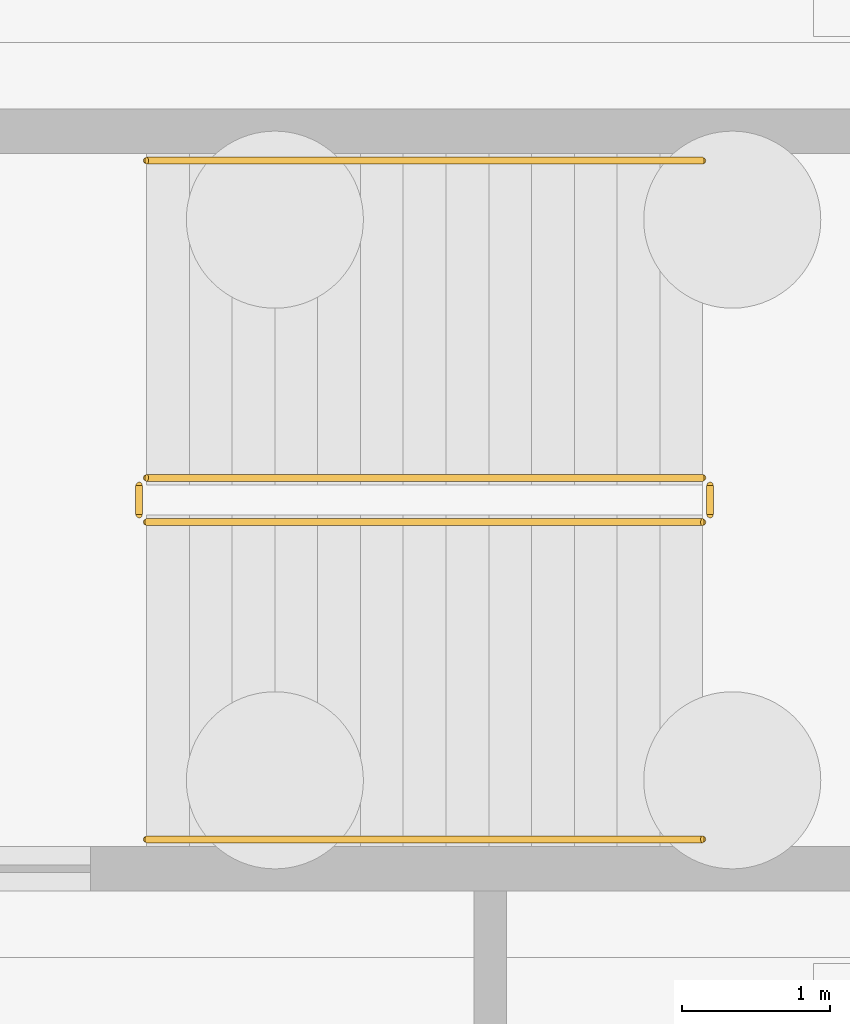
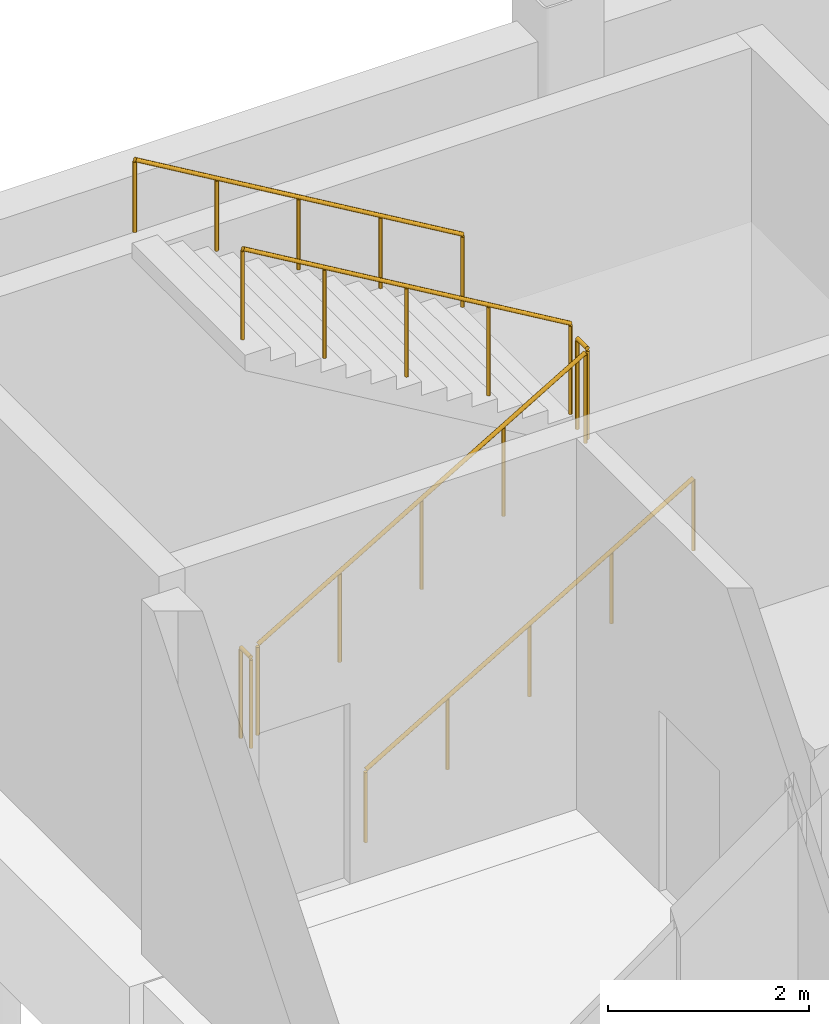
# One storey, part 32 of 34: 6 railings.
"""IFC4 building model written with IfcOpenShell, lengths in metres."""

from ifc_helpers import new_model, si_unit, direction, frame, origin, origin_2d, place, context, subcontext, project, spatial, circle, extrude, material, type_object, element, save


model = new_model("IFC4")

# Units and contexts
model_context = context("Model", 3, precision=1e-05, world=origin(), true_north=direction((0.0, 1.0)))
body_context = subcontext(model_context, "Body", "Model", "MODEL_VIEW")
ifc_project = project(units=[si_unit("LENGTHUNIT", "METRE"), si_unit("AREAUNIT", "SQUARE_METRE"), si_unit("VOLUMEUNIT", "CUBIC_METRE"), si_unit("PLANEANGLEUNIT", "RADIAN"), si_unit("MASSUNIT", "GRAM", prefix="KILO")], contexts=[model_context])

# Site, building, storey
site_placement = place(None, origin())
site = spatial("IfcSite", under=ifc_project, at=site_placement, CompositionType="ELEMENT")
building_placement = place(site_placement, origin())
building = spatial("IfcBuilding", under=site, at=building_placement, Name="Larkvane Passage Sports Hall", CompositionType="ELEMENT")
storey_placement = place(building_placement, frame((0.0, 0.0, -4.800048828125)))
storey = spatial("IfcBuildingStorey", under=building, at=storey_placement, Name="B01", CompositionType="ELEMENT", Elevation=-4.800048828125)

# Railings
ifc_material_1 = material(Name="Steel S355JR", Category="steel")
railing_type_1 = type_object("IfcRailingType", Name="RL-GUARD-1120", PredefinedType="GUARDRAIL", material=ifc_material_1)
railing_1_placement = place(storey_placement, frame((37.3798828125, 87.5, 0.17138671875)))
element("IfcRailing", 1, at=railing_1_placement, inside=storey, type_object=railing_type_1, Name="B01 ST-02 stair guard 1", PredefinedType="GUARDRAIL", context=body_context, shape_type="SweptSolid", body=[
    extrude(circle(Radius=0.02392578125, at=origin_2d()), frame((0.001708984375, 0.0, 1.09716796875), z_axis=(0.860824410104, 0.0, 0.508902087802), x_axis=(0.0, 1.0, 0.0)), (0.0, 0.0, 1.0), 4.37548828125),
    extrude(circle(Radius=0.02099609375, at=origin_2d()), origin(), (0.0, 0.0, 1.0), 1.072021484375),
    extrude(circle(Radius=0.02099609375, at=origin_2d()), frame((0.9423828125, 0.0, 0.55712890625)), (0.0, 0.0, 1.0), 1.072021484375),
    extrude(circle(Radius=0.02099609375, at=origin_2d()), frame((1.885009765625, 0.0, 1.1142578125)), (0.0, 0.0, 1.0), 1.072021484375),
    extrude(circle(Radius=0.02099609375, at=origin_2d()), frame((2.82763671875, 0.0, 1.671630859375)), (0.0, 0.0, 1.0), 1.072021484375),
    extrude(circle(Radius=0.02099609375, at=origin_2d()), frame((3.77001953125, 0.0, 2.228759765625)), (0.0, 0.0, 1.0), 1.072021484375),
])
railing_2_placement = place(storey_placement, frame((41.199951171875, 87.550048828125, 2.400146484375)))
element("IfcRailing", 2, at=railing_2_placement, inside=storey, type_object=railing_type_1, Name="B01 ST-02 stair guard 2", PredefinedType="GUARDRAIL", context=body_context, shape_type="SweptSolid", body=[
    extrude(circle(Radius=0.02392578125, at=origin_2d()), frame((0.0, 0.001953125, 1.09619140625), z_axis=(0.0, 1.0, 0.0), x_axis=(-1.0, 0.0, 0.0)), (0.0, 0.0, 1.0), 0.196044921875),
    extrude(circle(Radius=0.02099609375, at=origin_2d()), origin(), (0.0, 0.0, 1.0), 1.072021484375),
    extrude(circle(Radius=0.02099609375, at=origin_2d()), frame((0.0, 0.199951171875, 0.0)), (0.0, 0.0, 1.0), 1.072021484375),
])
railing_3_placement = place(storey_placement, frame((41.14990234375, 87.800048828125, 2.571533203125)))
element("IfcRailing", 3, at=railing_3_placement, inside=storey, type_object=railing_type_1, Name="B01 ST-02 stair guard 3", PredefinedType="GUARDRAIL", context=body_context, shape_type="SweptSolid", body=[
    extrude(circle(Radius=0.02392578125, at=origin_2d()), frame((-0.001708984375, 0.0, 1.09716796875), z_axis=(-0.860848830602, 0.0, 0.508860777473), x_axis=(0.0, -1.0, 0.0)), (0.0, 0.0, 1.0), 4.37548828125),
    extrude(circle(Radius=0.02099609375, at=origin_2d()), origin(), (0.0, 0.0, 1.0), 1.072021484375),
    extrude(circle(Radius=0.02099609375, at=origin_2d()), frame((-0.9423828125, 0.0, 0.55712890625)), (0.0, 0.0, 1.0), 1.072021484375),
    extrude(circle(Radius=0.02099609375, at=origin_2d()), frame((-1.885009765625, 0.0, 1.1142578125)), (0.0, 0.0, 1.0), 1.072021484375),
    extrude(circle(Radius=0.02099609375, at=origin_2d()), frame((-2.82763671875, 0.0, 1.67138671875)), (0.0, 0.0, 1.0), 1.072021484375),
    extrude(circle(Radius=0.02099609375, at=origin_2d()), frame((-3.77001953125, 0.0, 2.228515625)), (0.0, 0.0, 1.0), 1.072021484375),
])
railing_4_placement = place(storey_placement, frame((37.330078125, 87.550048828125, 0.0)))
element("IfcRailing", 4, at=railing_4_placement, inside=storey, type_object=railing_type_1, Name="B01 ST-02 stair guard 4", PredefinedType="GUARDRAIL", context=body_context, shape_type="SweptSolid", body=[
    extrude(circle(Radius=0.02392578125, at=origin_2d()), frame((0.0, 0.001953125, 1.09619140625), z_axis=(0.0, 1.0, 0.0), x_axis=(-1.0, 0.0, 0.0)), (0.0, 0.0, 1.0), 0.196044921875),
    extrude(circle(Radius=0.02099609375, at=origin_2d()), origin(), (0.0, 0.0, 1.0), 1.072021484375),
    extrude(circle(Radius=0.02099609375, at=origin_2d()), frame((0.0, 0.199951171875, 0.0)), (0.0, 0.0, 1.0), 1.072021484375),
])
ifc_material_2 = material(Name="Stainless steel S355JR", Category="steel")
railing_type_2 = type_object("IfcRailingType", Name="RL-HAND-920", PredefinedType="HANDRAIL", material=ifc_material_2)
railing_5_placement = place(storey_placement, frame((37.3798828125, 85.35009765625, 0.17138671875)))
element("IfcRailing", 5, at=railing_5_placement, inside=storey, type_object=railing_type_2, Name="B01 ST-02 stair handrail 1", PredefinedType="HANDRAIL", context=body_context, shape_type="SweptSolid", body=[
    extrude(circle(Radius=0.02392578125, at=origin_2d()), frame((0.001708984375, 0.0, 0.876953125), z_axis=(0.860824410104, 0.0, 0.508902087802), x_axis=(0.0, 1.0, 0.0)), (0.0, 0.0, 1.0), 4.37548828125),
    extrude(circle(Radius=0.02099609375, at=origin_2d()), origin(), (0.0, 0.0, 1.0), 0.851806640625),
    extrude(circle(Radius=0.02099609375, at=origin_2d()), frame((0.9423828125, 0.0, 0.55712890625)), (0.0, 0.0, 1.0), 0.851806640625),
    extrude(circle(Radius=0.02099609375, at=origin_2d()), frame((1.885009765625, 0.0, 1.1142578125)), (0.0, 0.0, 1.0), 0.851806640625),
    extrude(circle(Radius=0.02099609375, at=origin_2d()), frame((2.82763671875, 0.0, 1.671630859375)), (0.0, 0.0, 1.0), 0.851806640625),
    extrude(circle(Radius=0.02099609375, at=origin_2d()), frame((3.77001953125, 0.0, 2.228759765625)), (0.0, 0.0, 1.0), 0.851806640625),
])
railing_6_placement = place(storey_placement, frame((41.14990234375, 89.949951171875, 2.571533203125)))
element("IfcRailing", 6, at=railing_6_placement, inside=storey, type_object=railing_type_2, Name="B01 ST-02 stair handrail 2", PredefinedType="HANDRAIL", context=body_context, shape_type="SweptSolid", body=[
    extrude(circle(Radius=0.02392578125, at=origin_2d()), frame((-0.001708984375, 0.0, 0.876953125), z_axis=(-0.860848830602, 0.0, 0.508860777473), x_axis=(0.0, -1.0, 0.0)), (0.0, 0.0, 1.0), 4.37548828125),
    extrude(circle(Radius=0.02099609375, at=origin_2d()), origin(), (0.0, 0.0, 1.0), 0.851806640625),
    extrude(circle(Radius=0.02099609375, at=origin_2d()), frame((-0.9423828125, 0.0, 0.55712890625)), (0.0, 0.0, 1.0), 0.851806640625),
    extrude(circle(Radius=0.02099609375, at=origin_2d()), frame((-1.885009765625, 0.0, 1.1142578125)), (0.0, 0.0, 1.0), 0.851806640625),
    extrude(circle(Radius=0.02099609375, at=origin_2d()), frame((-2.82763671875, 0.0, 1.67138671875)), (0.0, 0.0, 1.0), 0.851806640625),
    extrude(circle(Radius=0.02099609375, at=origin_2d()), frame((-3.77001953125, 0.0, 2.228515625)), (0.0, 0.0, 1.0), 0.851806640625),
])

save(model, "model.ifc")
